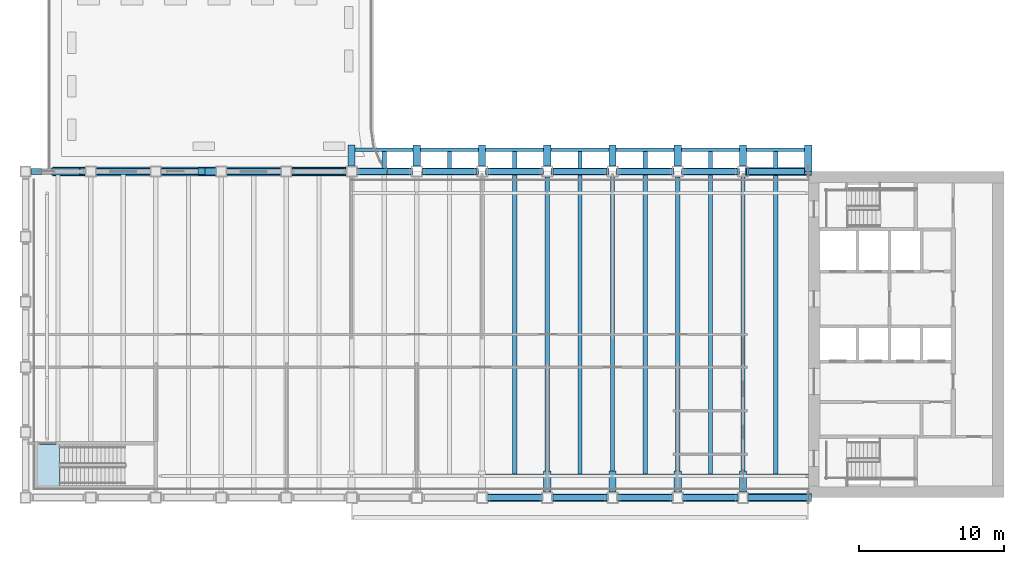
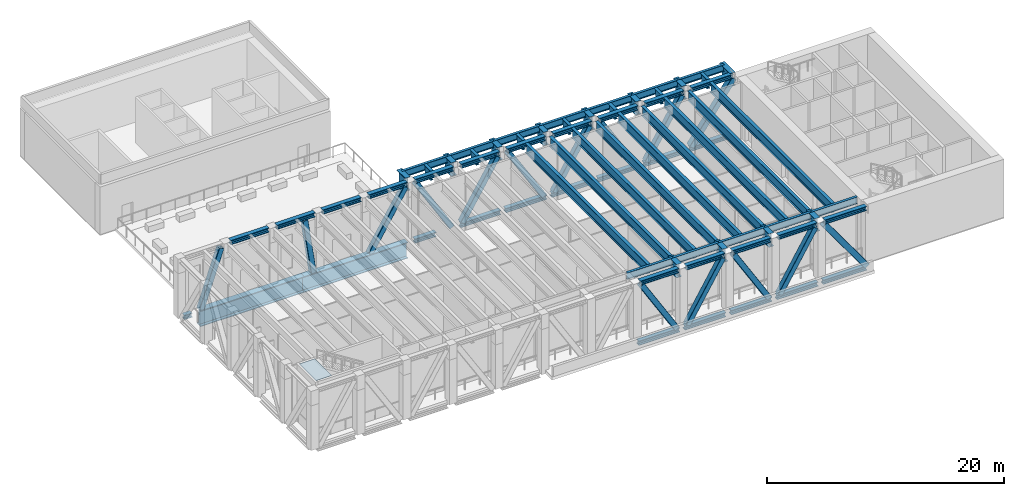
# One storey, part 2 of 20: 44 members, 42 beams, 1 slab.
"""IFC4 building model written with IfcOpenShell, lengths in metres."""

import ifcopenshell
import ifcopenshell.guid

model = None  # the IFC model being written
_history = None  # IfcOwnerHistory: only IFC2X3 demands one
_inside = {}  # id of a spatial element -> (the spatial element, [elements in it])
_under = {}  # id of a project, library or spatial element -> (it, [spatial elements below it])
_declared = {}  # id of a project -> (the project, [libraries it declares])
_typed = {}  # id of a type object -> (the type object, [elements of that type])
_made_of = {}  # id of a material, layer set ... -> (it, [elements and type objects made of it])


def new_model(schema):
    """Start an empty IFC model of exactly this schema.

    Asked for "IFC4X3", IfcOpenShell would pick the latest addendum, in which some entities
    have other attributes; the version numbers below select the first issue.
    IFC2X3 requires an IfcOwnerHistory on every rooted entity: one is made here for all.
    """
    global model, _history
    if schema == "IFC4X3":
        model = ifcopenshell.file(schema_version=(4, 3, 0, 0))
    else:
        model = ifcopenshell.file(schema=schema)
    _inside.clear()
    _under.clear()
    _declared.clear()
    _typed.clear()
    _made_of.clear()
    _history = None
    if model.schema == "IFC2X3":
        org = make("IfcOrganization", Name="unknown")
        user = make(
            "IfcPersonAndOrganization",
            ThePerson=make("IfcPerson", FamilyName="unknown"),
            TheOrganization=org,
        )
        app = make(
            "IfcApplication",
            ApplicationDeveloper=org,
            Version="unknown",
            ApplicationFullName="unknown",
            ApplicationIdentifier="unknown",
        )
        _history = make(
            "IfcOwnerHistory",
            OwningUser=user,
            OwningApplication=app,
            ChangeAction="ADDED",
            CreationDate=0,
        )
    return model


def make(cls, **values):
    """One entity of the class cls with the attributes given. An attribute that is None is left unset."""
    return model.create_entity(
        cls, **{name: value for name, value in values.items() if value is not None}
    )


def rooted(cls, **values):
    """An entity with a GlobalId (a new one), such as an element, a storey or a relation."""
    return make(cls, GlobalId=ifcopenshell.guid.new(), OwnerHistory=_history, **values)


def si_unit(unit_type, name, prefix=None):
    """IfcSIUnit, for example si_unit("LENGTHUNIT", "METRE", prefix="MILLI")."""
    return make("IfcSIUnit", UnitType=unit_type, Prefix=prefix, Name=name)


def assignment(units):
    """IfcUnitAssignment: the units of a project."""
    return None if units is None else make("IfcUnitAssignment", Units=units)


def point(xyz):
    """IfcCartesianPoint."""
    return None if xyz is None else make("IfcCartesianPoint", Coordinates=xyz)


def direction(xyz):
    """IfcDirection."""
    return None if xyz is None else make("IfcDirection", DirectionRatios=xyz)


def frame(location, z_axis=None, x_axis=None):
    """IfcAxis2Placement3D, a coordinate frame: its origin and axes. An axis left out is left unset."""
    return make(
        "IfcAxis2Placement3D",
        Location=point(location),
        Axis=direction(z_axis),
        RefDirection=direction(x_axis),
    )


def frame_2d(location, x_axis=None):
    """IfcAxis2Placement2D, a coordinate frame in the plane: its origin and x axis."""
    return make(
        "IfcAxis2Placement2D", Location=point(location), RefDirection=direction(x_axis)
    )


def origin():
    """The frame at (0, 0, 0) with its axes left unset."""
    return frame((0.0, 0.0, 0.0))


def origin_2d():
    """The frame at (0, 0) in the plane with its x axis left unset."""
    return frame_2d((0.0, 0.0))


def place(relative_to, where):
    """IfcLocalPlacement: puts the frame where relative to a parent placement (None: the world)."""
    return make(
        "IfcLocalPlacement", PlacementRelTo=relative_to, RelativePlacement=where
    )


def context(
    kind, dimensions, precision=None, world=None, true_north=None, identifier=None
):
    """IfcGeometricRepresentationContext, for example the 3D "Model" context."""
    return make(
        "IfcGeometricRepresentationContext",
        ContextIdentifier=identifier,
        ContextType=kind,
        CoordinateSpaceDimension=dimensions,
        Precision=precision,
        WorldCoordinateSystem=world,
        TrueNorth=true_north,
    )


def subcontext(parent, identifier, kind, view, scale=None):
    """IfcGeometricRepresentationSubContext, for example "Body" below "Model"."""
    return make(
        "IfcGeometricRepresentationSubContext",
        ContextIdentifier=identifier,
        ContextType=kind,
        ParentContext=parent,
        TargetScale=scale,
        TargetView=view,
    )


def project(units=None, contexts=None):
    """IfcProject with its units and contexts."""
    return rooted(
        "IfcProject",
        Name="project",
        RepresentationContexts=contexts,
        UnitsInContext=assignment(units),
    )


def spatial(cls, under=None, at=None, **own):
    """A site, building, storey or space (cls), placed at a placement, below another one or the project."""
    s = rooted(cls, ObjectPlacement=at, **own)
    if under is not None:
        _under.setdefault(under.id(), (under, []))[1].append(s)
    return s


def polyline(points):
    """IfcPolyline through the points."""
    return make("IfcPolyline", Points=[point(p) for p in points])


def profile(cls, at=None, kind="AREA", **sizes):
    """A parametric profile (cls). Its sizes go by their IFC names, for example OverallWidth=200.0."""
    return make(cls, ProfileType=kind, Position=at, **sizes)


def hollow_rectangle(**sizes):
    """IfcRectangleHollowProfileDef."""
    return profile("IfcRectangleHollowProfileDef", **sizes)


def i_section(**sizes):
    """IfcIShapeProfileDef."""
    return profile("IfcIShapeProfileDef", **sizes)


def outline(outer, holes=None, kind="AREA"):
    """IfcArbitraryClosedProfileDef: a profile drawn as a closed curve; with holes, ...WithVoids."""
    if holes is None:
        return make("IfcArbitraryClosedProfileDef", ProfileType=kind, OuterCurve=outer)
    return make(
        "IfcArbitraryProfileDefWithVoids",
        ProfileType=kind,
        OuterCurve=outer,
        InnerCurves=holes,
    )


def extrude(swept, where, along, depth):
    """IfcExtrudedAreaSolid: the profile swept, set in the frame where, extruded along a direction by depth."""
    return make(
        "IfcExtrudedAreaSolid",
        SweptArea=swept,
        Position=where,
        ExtrudedDirection=direction(along),
        Depth=depth,
    )


def shape(context_of_items, identifier, shape_type, items):
    """IfcShapeRepresentation: the items that make up one representation, for example the "Body"."""
    return make(
        "IfcShapeRepresentation",
        ContextOfItems=context_of_items,
        RepresentationIdentifier=identifier,
        RepresentationType=shape_type,
        Items=items,
    )


def material(Name=None, Category=None):
    """IfcMaterial."""
    return make("IfcMaterial", Name=Name, Category=Category)


def layer(
    of_material, thickness, ventilated=None, Name=None, Category=None, Priority=None
):
    """IfcMaterialLayer: one layer of a wall or slab, of a material (None: an air gap)."""
    return make(
        "IfcMaterialLayer",
        Material=of_material,
        LayerThickness=thickness,
        IsVentilated=ventilated,
        Name=Name,
        Category=Category,
        Priority=Priority,
    )


def layer_set(layers, Name=None):
    """IfcMaterialLayerSet."""
    return make("IfcMaterialLayerSet", MaterialLayers=layers, LayerSetName=Name)


def material_profile(
    of_material, cross_section, Name=None, Category=None, Priority=None
):
    """IfcMaterialProfile: a cross section and its material."""
    return make(
        "IfcMaterialProfile",
        Name=Name,
        Material=of_material,
        Profile=cross_section,
        Priority=Priority,
        Category=Category,
    )


def profile_set(profiles, Name=None, composite=None):
    """IfcMaterialProfileSet."""
    return make(
        "IfcMaterialProfileSet",
        Name=Name,
        MaterialProfiles=profiles,
        CompositeProfile=composite,
    )


def made_of(thing, what):
    """Note that an element or type object is made of a material, layer set ...; save() writes the relation."""
    if what is not None:
        _made_of.setdefault(what.id(), (what, []))[1].append(thing)
    return thing


def type_object(cls, material=None, **own):
    """A type object (cls), such as IfcWallType, which elements share."""
    return made_of(rooted(cls, **own), material)


def element(
    cls,
    number,
    at=None,
    inside=None,
    cuts=None,
    type_object=None,
    material=None,
    context=None,
    identifier="Body",
    shape_type=None,
    held_by="IfcProductDefinitionShape",
    body=None,
    shapes=None,
    **own,
):
    """One element of the class cls, such as IfcWall. Its Tag is "e" and its number.

    at: its placement. inside: the storey or other place that contains it. cuts: it is an
    opening in that element (IfcRelVoidsElement). A single representation is given by context,
    identifier, shape_type and body (its items); several are given by shapes. held_by: the class
    of the entity that holds the representations. save() writes the other relations.
    """
    e = rooted(cls, Tag="e%d" % number, ObjectPlacement=at, **own)
    if body is not None:
        shapes = [shape(context, identifier, shape_type, body)]
    if shapes is not None:
        e.Representation = make(held_by, Representations=shapes)
    if inside is not None:
        _inside.setdefault(inside.id(), (inside, []))[1].append(e)
    if cuts is not None:
        rooted(
            "IfcRelVoidsElement", RelatingBuildingElement=cuts, RelatedOpeningElement=e
        )
    if type_object is not None:
        _typed.setdefault(type_object.id(), (type_object, []))[1].append(e)
    return made_of(e, material)


def aggregate(whole, parts):
    """IfcRelAggregates: a whole, such as a stair, and the parts it consists of."""
    return rooted("IfcRelAggregates", RelatingObject=whole, RelatedObjects=parts)


def save(model, path):
    """Write the relations noted so far, then the file.

    IfcRelAggregates (storeys below a building ...), IfcRelContainedInSpatialStructure (elements
    in a storey), IfcRelDefinesByType, IfcRelAssociatesMaterial and IfcRelDeclares: one each for
    every whole, place, type object, material and project.
    """
    for whole, parts in _under.values():
        aggregate(whole, parts)
    for where, things in _inside.values():
        rooted(
            "IfcRelContainedInSpatialStructure",
            RelatedElements=things,
            RelatingStructure=where,
        )
    for kind, things in _typed.values():
        rooted("IfcRelDefinesByType", RelatedObjects=things, RelatingType=kind)
    for what, things in _made_of.values():
        rooted("IfcRelAssociatesMaterial", RelatedObjects=things, RelatingMaterial=what)
    for by, libraries in _declared.values():
        rooted("IfcRelDeclares", RelatingContext=by, RelatedDefinitions=libraries)
    model.write(path)


model = new_model("IFC4")

# Units and contexts
model_context = context("Model", 3, precision=1e-05, world=origin(), true_north=direction((0.0, 1.0)))
body_context = subcontext(model_context, "Body", "Model", "MODEL_VIEW")
ifc_project = project(units=[si_unit("LENGTHUNIT", "METRE"), si_unit("AREAUNIT", "SQUARE_METRE"), si_unit("VOLUMEUNIT", "CUBIC_METRE"), si_unit("PLANEANGLEUNIT", "RADIAN"), si_unit("MASSUNIT", "GRAM", prefix="KILO")], contexts=[model_context])

# Site, building, storey
site_placement = place(None, origin())
site = spatial("IfcSite", under=ifc_project, at=site_placement, CompositionType="ELEMENT")
building_placement = place(site_placement, origin())
building = spatial("IfcBuilding", under=site, at=building_placement, Name="Sennacour Bend Tower", CompositionType="ELEMENT")
storey_placement = place(building_placement, frame((0.0, 0.0, 243.0)))
storey = spatial("IfcBuildingStorey", under=building, at=storey_placement, Name="L56", CompositionType="ELEMENT", Elevation=243.0)

# Members
ifc_material_1 = material(Name="Steel ASTM A992 Grade 50", Category="steel")
ifc_material_profile_1 = material_profile(ifc_material_1, i_section(OverallWidth=0.4189453125, OverallDepth=0.455078125, WebThickness=0.042236328125, FlangeThickness=0.067626953125, FilletRadius=0.01513671875, at=origin_2d()), Name="Steel ASTM A992 Grade 50", Category="steel")
ifc_profile_set_1 = profile_set([ifc_material_profile_1], Name="Steel ASTM A992 Grade 50")
member_type_1 = type_object("IfcMemberType", Name="Belt truss chord W360X551", PredefinedType="CHORD", material=ifc_profile_set_1)
member_1_placement = place(storey_placement, frame((0.375, 22.5, -0.527587890625), z_axis=(1.0, 0.0, 0.0), x_axis=(0.0, 1.0, 0.0)))
element("IfcMember", 1, at=member_1_placement, inside=storey, type_object=member_type_1, Name="Belt truss chord BC L56-006", PredefinedType="CHORD", context=body_context, shape_type="SweptSolid", body=[
    extrude(i_section(OverallWidth=0.4189453125, OverallDepth=0.455078125, WebThickness=0.042236328125, FlangeThickness=0.067626953125, FilletRadius=0.01513671875, at=origin_2d()), origin(), (0.0, 0.0, 1.0), 0.75),
])
member_2_placement = place(storey_placement, frame((22.875, 22.5, -0.527587890625), z_axis=(1.0, 0.0, 0.0), x_axis=(0.0, 1.0, 0.0)))
element("IfcMember", 2, at=member_2_placement, inside=storey, type_object=member_type_1, Name="Belt truss chord BC L56-007", PredefinedType="CHORD", context=body_context, shape_type="SweptSolid", body=[
    extrude(i_section(OverallWidth=0.4189453125, OverallDepth=0.455078125, WebThickness=0.042236328125, FlangeThickness=0.067626953125, FilletRadius=0.01513671875, at=origin_2d()), origin(), (0.0, 0.0, 1.0), 2.068115234375),
])
member_3_placement = place(storey_placement, frame((27.37939453125, 22.5, -0.4775390625), z_axis=(1.0, 0.0, 0.0), x_axis=(0.0, 1.0, 0.0)))
element("IfcMember", 3, at=member_3_placement, inside=storey, type_object=member_type_1, Name="Belt truss chord BC L56-008", PredefinedType="CHORD", context=body_context, shape_type="SweptSolid", body=[
    extrude(i_section(OverallWidth=0.4189453125, OverallDepth=0.455078125, WebThickness=0.042236328125, FlangeThickness=0.067626953125, FilletRadius=0.01513671875, at=origin_2d()), origin(), (0.0, 0.0, 1.0), 3.87060546875),
])
for number, where, z_axis, x_axis, name in (
    (4, (31.75, 22.5, -0.4775390625), (1.0, 0.0, 0.0), (0.0, 1.0, 0.0), "Belt truss chord BC L56-009"),
    (5, (36.25, 22.5, -0.4775390625), (1.0, 0.0, 0.0), (0.0, 1.0, 0.0), "Belt truss chord BC L56-010"),
    (6, (40.75, 22.5, -0.4775390625), (1.0, 0.0, 0.0), (0.0, 1.0, 0.0), "Belt truss chord BC L56-011"),
    (7, (45.25, 22.5, -0.4775390625), (1.0, 0.0, 0.0), (0.0, 1.0, 0.0), "Belt truss chord BC L56-012"),
):
    element("IfcMember", number, at=place(storey_placement, frame(where, z_axis=z_axis, x_axis=x_axis)), inside=storey, type_object=member_type_1, Name=name, PredefinedType="CHORD", context=body_context, shape_type="SweptSolid", body=[
        extrude(i_section(OverallWidth=0.4189453125, OverallDepth=0.455078125, WebThickness=0.042236328125, FlangeThickness=0.067626953125, FilletRadius=0.01513671875, at=origin_2d()), origin(), (0.0, 0.0, 1.0), 4.0),
    ])
for number, where, z_axis, x_axis, name in (
    (8, (49.75, 22.5, -0.4775390625), (1.0, 0.0, 0.0), (0.0, 1.0, 0.0), "Belt truss chord BC L56-013"),
    (9, (54.0, 0.0, -0.527587890625), (-1.0, 0.0, 0.0), (0.0, -1.0, 0.0), "Belt truss chord BC L56-014"),
):
    element("IfcMember", number, at=place(storey_placement, frame(where, z_axis=z_axis, x_axis=x_axis)), inside=storey, type_object=member_type_1, Name=name, PredefinedType="CHORD", context=body_context, shape_type="SweptSolid", body=[
        extrude(i_section(OverallWidth=0.4189453125, OverallDepth=0.455078125, WebThickness=0.042236328125, FlangeThickness=0.067626953125, FilletRadius=0.01513671875, at=origin_2d()), origin(), (0.0, 0.0, 1.0), 4.25),
    ])
for number, where, z_axis, x_axis, name in (
    (10, (49.25, 0.0, -0.527587890625), (-1.0, 0.0, 0.0), (0.0, -1.0, 0.0), "Belt truss chord BC L56-015"),
    (11, (44.75, 0.0, -0.527587890625), (-1.0, 0.0, 0.0), (0.0, -1.0, 0.0), "Belt truss chord BC L56-016"),
    (12, (40.25, 0.0, -0.527587890625), (-1.0, 0.0, 0.0), (0.0, -1.0, 0.0), "Belt truss chord BC L56-017"),
    (13, (35.75, 0.0, -0.527587890625), (-1.0, 0.0, 0.0), (0.0, -1.0, 0.0), "Belt truss chord BC L56-018"),
):
    element("IfcMember", number, at=place(storey_placement, frame(where, z_axis=z_axis, x_axis=x_axis)), inside=storey, type_object=member_type_1, Name=name, PredefinedType="CHORD", context=body_context, shape_type="SweptSolid", body=[
        extrude(i_section(OverallWidth=0.4189453125, OverallDepth=0.455078125, WebThickness=0.042236328125, FlangeThickness=0.067626953125, FilletRadius=0.01513671875, at=origin_2d()), origin(), (0.0, 0.0, 1.0), 4.0),
    ])
for number, where, z_axis, x_axis, name in (
    (14, (4.875, 22.5, 5.62255859375), (1.0, 0.0, 0.0), (0.0, 1.0, 0.0), "Belt truss chord BC L56-007"),
    (15, (9.375, 22.5, 5.62255859375), (1.0, 0.0, 0.0), (0.0, 1.0, 0.0), "Belt truss chord BC L56-008"),
    (16, (13.875, 22.5, 5.62255859375), (1.0, 0.0, 0.0), (0.0, 1.0, 0.0), "Belt truss chord BC L56-009"),
    (17, (18.375, 22.5, 5.62255859375), (1.0, 0.0, 0.0), (0.0, 1.0, 0.0), "Belt truss chord BC L56-010"),
    (18, (22.875, 22.5, 5.62255859375), (1.0, 0.0, 0.0), (0.0, 1.0, 0.0), "Belt truss chord BC L56-011"),
    (19, (27.375, 22.5, 5.62255859375), (1.0, 0.0, 0.0), (0.0, 1.0, 0.0), "Belt truss chord BC L56-012"),
    (20, (31.875, 22.5, 5.62255859375), (1.0, 0.0, 0.0), (0.0, 1.0, 0.0), "Belt truss chord BC L56-013"),
    (21, (36.375, 22.5, 5.62255859375), (1.0, 0.0, 0.0), (0.0, 1.0, 0.0), "Belt truss chord BC L56-014"),
    (22, (40.875, 22.5, 5.62255859375), (1.0, 0.0, 0.0), (0.0, 1.0, 0.0), "Belt truss chord BC L56-015"),
    (23, (45.375, 22.5, 5.62255859375), (1.0, 0.0, 0.0), (0.0, 1.0, 0.0), "Belt truss chord BC L56-016"),
):
    element("IfcMember", number, at=place(storey_placement, frame(where, z_axis=z_axis, x_axis=x_axis)), inside=storey, type_object=member_type_1, Name=name, PredefinedType="CHORD", context=body_context, shape_type="SweptSolid", body=[
        extrude(i_section(OverallWidth=0.4189453125, OverallDepth=0.455078125, WebThickness=0.042236328125, FlangeThickness=0.067626953125, FilletRadius=0.01513671875, at=origin_2d()), origin(), (0.0, 0.0, 1.0), 3.75),
    ])
member_4_placement = place(storey_placement, frame((49.875, 22.5, 5.62255859375), z_axis=(1.0, 0.0, 0.0), x_axis=(0.0, 1.0, 0.0)))
element("IfcMember", 24, at=member_4_placement, inside=storey, type_object=member_type_1, Name="Belt truss chord BC L56-017", PredefinedType="CHORD", context=body_context, shape_type="SweptSolid", body=[
    extrude(i_section(OverallWidth=0.4189453125, OverallDepth=0.455078125, WebThickness=0.042236328125, FlangeThickness=0.067626953125, FilletRadius=0.01513671875, at=origin_2d()), origin(), (0.0, 0.0, 1.0), 3.875),
])
member_5_placement = place(storey_placement, frame((54.0, 0.0, 5.62255859375), z_axis=(-1.0, 0.0, 0.0), x_axis=(0.0, -1.0, 0.0)))
element("IfcMember", 25, at=member_5_placement, inside=storey, type_object=member_type_1, Name="Belt truss chord BC L56-018", PredefinedType="CHORD", context=body_context, shape_type="SweptSolid", body=[
    extrude(i_section(OverallWidth=0.4189453125, OverallDepth=0.455078125, WebThickness=0.042236328125, FlangeThickness=0.067626953125, FilletRadius=0.01513671875, at=origin_2d()), origin(), (0.0, 0.0, 1.0), 4.125),
])
for number, where, z_axis, x_axis, name in (
    (26, (49.125, 0.0, 5.62255859375), (-1.0, 0.0, 0.0), (0.0, -1.0, 0.0), "Belt truss chord BC L56-019"),
    (27, (44.625, 0.0, 5.62255859375), (-1.0, 0.0, 0.0), (0.0, -1.0, 0.0), "Belt truss chord BC L56-020"),
    (28, (40.125, 0.0, 5.62255859375), (-1.0, 0.0, 0.0), (0.0, -1.0, 0.0), "Belt truss chord BC L56-021"),
    (29, (35.625, 0.0, 5.62255859375), (-1.0, 0.0, 0.0), (0.0, -1.0, 0.0), "Belt truss chord BC L56-022"),
):
    element("IfcMember", number, at=place(storey_placement, frame(where, z_axis=z_axis, x_axis=x_axis)), inside=storey, type_object=member_type_1, Name=name, PredefinedType="CHORD", context=body_context, shape_type="SweptSolid", body=[
        extrude(i_section(OverallWidth=0.4189453125, OverallDepth=0.455078125, WebThickness=0.042236328125, FlangeThickness=0.067626953125, FilletRadius=0.01513671875, at=origin_2d()), origin(), (0.0, 0.0, 1.0), 3.75),
    ])
ifc_material_2 = material(Name="Steel ASTM A500 Grade C", Category="steel")
ifc_material_profile_2 = material_profile(ifc_material_2, hollow_rectangle(XDim=0.508056640625, YDim=0.508056640625, WallThickness=0.01904296875, InnerFilletRadius=0.01904296875, OuterFilletRadius=0.0380859375, at=origin_2d()), Name="Steel ASTM A500 Grade C", Category="steel")
ifc_profile_set_2 = profile_set([ifc_material_profile_2], Name="Steel ASTM A500 Grade C")
member_type_2 = type_object("IfcMemberType", Name="Belt truss diagonal 508", PredefinedType="BRACE", material=ifc_profile_set_2)
member_6_placement = place(storey_placement, frame((2.02490234375, 22.5, -0.300048828125), z_axis=(0.323967614843, 0.0, 0.946068171187), x_axis=(0.0, 1.0, 0.0)))
element("IfcMember", 30, at=member_6_placement, inside=storey, type_object=member_type_2, Name="Belt truss diagonal BD L56-006", PredefinedType="BRACE", context=body_context, shape_type="SweptSolid", body=[
    extrude(hollow_rectangle(XDim=0.508056640625, YDim=0.508056640625, WallThickness=0.01904296875, InnerFilletRadius=0.01904296875, OuterFilletRadius=0.0380859375, at=origin_2d()), origin(), (0.0, 0.0, 1.0), 6.019775390625),
])
member_7_placement = place(storey_placement, frame((12.14990234375, 22.5, 5.39501953125), z_axis=(0.143398961419, 0.0, -0.989664962431), x_axis=(0.0, 1.0, 0.0)))
element("IfcMember", 31, at=member_7_placement, inside=storey, type_object=member_type_2, Name="Belt truss diagonal BD L56-007", PredefinedType="BRACE", context=body_context, shape_type="SweptSolid", body=[
    extrude(hollow_rectangle(XDim=0.508056640625, YDim=0.508056640625, WallThickness=0.01904296875, InnerFilletRadius=0.01904296875, OuterFilletRadius=0.0380859375, at=origin_2d()), origin(), (0.0, 0.0, 1.0), 5.754638671875),
])
for number, where, z_axis, x_axis, name in (
    (32, (18.52490234375, 22.5, -0.300048828125), (0.518152191103, 0.0, 0.855288434889), (0.0, 1.0, 0.0), "Belt truss diagonal BD L56-008"),
    (33, (23.02490234375, 22.5, 5.39501953125), (0.518152191103, 0.0, -0.855288434889), (0.0, 1.0, 0.0), "Belt truss diagonal BD L56-009"),
):
    element("IfcMember", number, at=place(storey_placement, frame(where, z_axis=z_axis, x_axis=x_axis)), inside=storey, type_object=member_type_2, Name=name, PredefinedType="BRACE", context=body_context, shape_type="SweptSolid", body=[
        extrude(hollow_rectangle(XDim=0.508056640625, YDim=0.508056640625, WallThickness=0.01904296875, InnerFilletRadius=0.01904296875, OuterFilletRadius=0.0380859375, at=origin_2d()), origin(), (0.0, 0.0, 1.0), 6.65869140625),
    ])
for number, where, z_axis, x_axis, name in (
    (34, (27.52490234375, 22.5, -0.25), (0.521500759312, 0.0, 0.853250817777), (0.0, 1.0, 0.0), "Belt truss diagonal BD L56-010"),
    (35, (32.02490234375, 22.5, 5.39501953125), (0.521500759312, 0.0, -0.853250817777), (0.0, 1.0, 0.0), "Belt truss diagonal BD L56-011"),
    (36, (36.52490234375, 22.5, -0.25), (0.521500759312, 0.0, 0.853250817777), (0.0, 1.0, 0.0), "Belt truss diagonal BD L56-012"),
    (37, (41.02490234375, 22.5, 5.39501953125), (0.521500759312, 0.0, -0.853250817777), (0.0, 1.0, 0.0), "Belt truss diagonal BD L56-013"),
    (38, (45.52490234375, 22.5, -0.25), (0.521500759312, 0.0, 0.853250817777), (0.0, 1.0, 0.0), "Belt truss diagonal BD L56-014"),
):
    element("IfcMember", number, at=place(storey_placement, frame(where, z_axis=z_axis, x_axis=x_axis)), inside=storey, type_object=member_type_2, Name=name, PredefinedType="BRACE", context=body_context, shape_type="SweptSolid", body=[
        extrude(hollow_rectangle(XDim=0.508056640625, YDim=0.508056640625, WallThickness=0.01904296875, InnerFilletRadius=0.01904296875, OuterFilletRadius=0.0380859375, at=origin_2d()), origin(), (0.0, 0.0, 1.0), 6.615966796875),
    ])
for number, where, z_axis, x_axis, name in (
    (39, (48.97509765625, 0.0, 5.39501953125), (-0.518152191103, 0.0, -0.855288434889), (0.0, -1.0, 0.0), "Belt truss diagonal BD L56-015"),
    (40, (44.47509765625, 0.0, -0.300048828125), (-0.518152191103, 0.0, 0.855288434889), (0.0, -1.0, 0.0), "Belt truss diagonal BD L56-016"),
    (41, (39.97509765625, 0.0, 5.39501953125), (-0.518152191103, 0.0, -0.855288434889), (0.0, -1.0, 0.0), "Belt truss diagonal BD L56-017"),
    (42, (35.47509765625, 0.0, -0.300048828125), (-0.518152191103, 0.0, 0.855288434889), (0.0, -1.0, 0.0), "Belt truss diagonal BD L56-018"),
):
    element("IfcMember", number, at=place(storey_placement, frame(where, z_axis=z_axis, x_axis=x_axis)), inside=storey, type_object=member_type_2, Name=name, PredefinedType="BRACE", context=body_context, shape_type="SweptSolid", body=[
        extrude(hollow_rectangle(XDim=0.508056640625, YDim=0.508056640625, WallThickness=0.01904296875, InnerFilletRadius=0.01904296875, OuterFilletRadius=0.0380859375, at=origin_2d()), origin(), (0.0, 0.0, 1.0), 6.65869140625),
    ])

# Beams
ifc_material_profile_3 = material_profile(ifc_material_1, i_section(OverallWidth=0.300048828125, OverallDepth=0.97998046875, WebThickness=0.0166015625, FlangeThickness=0.026123046875, FilletRadius=0.02978515625, at=origin_2d()), Name="Steel ASTM A992 Grade 50", Category="steel")
ifc_profile_set_3 = profile_set([ifc_material_profile_3], Name="Steel ASTM A992 Grade 50")
beam_type_1 = type_object("IfcBeamType", Name="Floor beam W1000X249", PredefinedType="BEAM", material=ifc_profile_set_3)
for number, where, z_axis, x_axis, name in (
    (43, (24.75, 22.70947265625, 5.360107421875), (0.0, 1.0, 0.0), (-1.0, 0.0, 0.0), "Floor beam FBM2 L57-012"),
    (44, (29.25, 22.70947265625, 5.360107421875), (0.0, 1.0, 0.0), (-1.0, 0.0, 0.0), "Floor beam FBM2 L57-015"),
):
    element("IfcBeam", number, at=place(storey_placement, frame(where, z_axis=z_axis, x_axis=x_axis)), inside=storey, type_object=beam_type_1, Name=name, PredefinedType="BEAM", context=body_context, shape_type="SweptSolid", body=[
        extrude(i_section(OverallWidth=0.300048828125, OverallDepth=0.97998046875, WebThickness=0.0166015625, FlangeThickness=0.026123046875, FilletRadius=0.02978515625, at=origin_2d()), origin(), (0.0, 0.0, 1.0), 1.16357421875),
    ])
beam_1_placement = place(storey_placement, frame((33.75, 1.626953125, 5.360107421875), z_axis=(0.0, 1.0, 0.0), x_axis=(-1.0, 0.0, 0.0)))
element("IfcBeam", 45, at=beam_1_placement, inside=storey, type_object=beam_type_1, Name="Floor beam FBM2 L57-017", PredefinedType="BEAM", context=body_context, shape_type="SweptSolid", body=[
    extrude(i_section(OverallWidth=0.300048828125, OverallDepth=0.97998046875, WebThickness=0.0166015625, FlangeThickness=0.026123046875, FilletRadius=0.02978515625, at=origin_2d()), origin(), (0.0, 0.0, 1.0), 20.66357421875),
])
beam_2_placement = place(storey_placement, frame((33.75, 22.70947265625, 5.360107421875), z_axis=(0.0, 1.0, 0.0), x_axis=(-1.0, 0.0, 0.0)))
element("IfcBeam", 46, at=beam_2_placement, inside=storey, type_object=beam_type_1, Name="Floor beam FBM2 L57-018", PredefinedType="BEAM", context=body_context, shape_type="SweptSolid", body=[
    extrude(i_section(OverallWidth=0.300048828125, OverallDepth=0.97998046875, WebThickness=0.0166015625, FlangeThickness=0.026123046875, FilletRadius=0.02978515625, at=origin_2d()), origin(), (0.0, 0.0, 1.0), 1.16357421875),
])
beam_3_placement = place(storey_placement, frame((36.0, 1.824951171875, 5.360107421875), z_axis=(0.0, 1.0, 0.0), x_axis=(-1.0, 0.0, 0.0)))
element("IfcBeam", 47, at=beam_3_placement, inside=storey, type_object=beam_type_1, Name="Floor beam FBM2 L57-019", PredefinedType="BEAM", context=body_context, shape_type="SweptSolid", body=[
    extrude(i_section(OverallWidth=0.300048828125, OverallDepth=0.97998046875, WebThickness=0.0166015625, FlangeThickness=0.026123046875, FilletRadius=0.02978515625, at=origin_2d()), origin(), (0.0, 0.0, 1.0), 20.300048828125),
])
beam_4_placement = place(storey_placement, frame((38.25, 1.626953125, 5.360107421875), z_axis=(0.0, 1.0, 0.0), x_axis=(-1.0, 0.0, 0.0)))
element("IfcBeam", 48, at=beam_4_placement, inside=storey, type_object=beam_type_1, Name="Floor beam FBM2 L57-020", PredefinedType="BEAM", context=body_context, shape_type="SweptSolid", body=[
    extrude(i_section(OverallWidth=0.300048828125, OverallDepth=0.97998046875, WebThickness=0.0166015625, FlangeThickness=0.026123046875, FilletRadius=0.02978515625, at=origin_2d()), origin(), (0.0, 0.0, 1.0), 20.66357421875),
])
beam_5_placement = place(storey_placement, frame((38.25, 22.70947265625, 5.360107421875), z_axis=(0.0, 1.0, 0.0), x_axis=(-1.0, 0.0, 0.0)))
element("IfcBeam", 49, at=beam_5_placement, inside=storey, type_object=beam_type_1, Name="Floor beam FBM2 L57-021", PredefinedType="BEAM", context=body_context, shape_type="SweptSolid", body=[
    extrude(i_section(OverallWidth=0.300048828125, OverallDepth=0.97998046875, WebThickness=0.0166015625, FlangeThickness=0.026123046875, FilletRadius=0.02978515625, at=origin_2d()), origin(), (0.0, 0.0, 1.0), 1.16357421875),
])
beam_6_placement = place(storey_placement, frame((40.5, 1.824951171875, 5.360107421875), z_axis=(0.0, 1.0, 0.0), x_axis=(-1.0, 0.0, 0.0)))
element("IfcBeam", 50, at=beam_6_placement, inside=storey, type_object=beam_type_1, Name="Floor beam FBM2 L57-022", PredefinedType="BEAM", context=body_context, shape_type="SweptSolid", body=[
    extrude(i_section(OverallWidth=0.300048828125, OverallDepth=0.97998046875, WebThickness=0.0166015625, FlangeThickness=0.026123046875, FilletRadius=0.02978515625, at=origin_2d()), origin(), (0.0, 0.0, 1.0), 20.300048828125),
])
beam_7_placement = place(storey_placement, frame((42.75, 1.626953125, 5.360107421875), z_axis=(0.0, 1.0, 0.0), x_axis=(-1.0, 0.0, 0.0)))
element("IfcBeam", 51, at=beam_7_placement, inside=storey, type_object=beam_type_1, Name="Floor beam FBM2 L57-023", PredefinedType="BEAM", context=body_context, shape_type="SweptSolid", body=[
    extrude(i_section(OverallWidth=0.300048828125, OverallDepth=0.97998046875, WebThickness=0.0166015625, FlangeThickness=0.026123046875, FilletRadius=0.02978515625, at=origin_2d()), origin(), (0.0, 0.0, 1.0), 20.66357421875),
])
beam_8_placement = place(storey_placement, frame((42.75, 22.70947265625, 5.360107421875), z_axis=(0.0, 1.0, 0.0), x_axis=(-1.0, 0.0, 0.0)))
element("IfcBeam", 52, at=beam_8_placement, inside=storey, type_object=beam_type_1, Name="Floor beam FBM2 L57-024", PredefinedType="BEAM", context=body_context, shape_type="SweptSolid", body=[
    extrude(i_section(OverallWidth=0.300048828125, OverallDepth=0.97998046875, WebThickness=0.0166015625, FlangeThickness=0.026123046875, FilletRadius=0.02978515625, at=origin_2d()), origin(), (0.0, 0.0, 1.0), 1.16357421875),
])
beam_9_placement = place(storey_placement, frame((45.0, 1.824951171875, 5.360107421875), z_axis=(0.0, 1.0, 0.0), x_axis=(-1.0, 0.0, 0.0)))
element("IfcBeam", 53, at=beam_9_placement, inside=storey, type_object=beam_type_1, Name="Floor beam FBM2 L57-025", PredefinedType="BEAM", context=body_context, shape_type="SweptSolid", body=[
    extrude(i_section(OverallWidth=0.300048828125, OverallDepth=0.97998046875, WebThickness=0.0166015625, FlangeThickness=0.026123046875, FilletRadius=0.02978515625, at=origin_2d()), origin(), (0.0, 0.0, 1.0), 20.300048828125),
])
beam_10_placement = place(storey_placement, frame((47.25, 1.626953125, 5.360107421875), z_axis=(0.0, 1.0, 0.0), x_axis=(-1.0, 0.0, 0.0)))
element("IfcBeam", 54, at=beam_10_placement, inside=storey, type_object=beam_type_1, Name="Floor beam FBM2 L57-026", PredefinedType="BEAM", context=body_context, shape_type="SweptSolid", body=[
    extrude(i_section(OverallWidth=0.300048828125, OverallDepth=0.97998046875, WebThickness=0.0166015625, FlangeThickness=0.026123046875, FilletRadius=0.02978515625, at=origin_2d()), origin(), (0.0, 0.0, 1.0), 20.66357421875),
])
beam_11_placement = place(storey_placement, frame((47.25, 22.70947265625, 5.360107421875), z_axis=(0.0, 1.0, 0.0), x_axis=(-1.0, 0.0, 0.0)))
element("IfcBeam", 55, at=beam_11_placement, inside=storey, type_object=beam_type_1, Name="Floor beam FBM2 L57-027", PredefinedType="BEAM", context=body_context, shape_type="SweptSolid", body=[
    extrude(i_section(OverallWidth=0.300048828125, OverallDepth=0.97998046875, WebThickness=0.0166015625, FlangeThickness=0.026123046875, FilletRadius=0.02978515625, at=origin_2d()), origin(), (0.0, 0.0, 1.0), 1.16357421875),
])
beam_12_placement = place(storey_placement, frame((49.5, 1.824951171875, 5.360107421875), z_axis=(0.0, 1.0, 0.0), x_axis=(-1.0, 0.0, 0.0)))
element("IfcBeam", 56, at=beam_12_placement, inside=storey, type_object=beam_type_1, Name="Floor beam FBM2 L57-028", PredefinedType="BEAM", context=body_context, shape_type="SweptSolid", body=[
    extrude(i_section(OverallWidth=0.300048828125, OverallDepth=0.97998046875, WebThickness=0.0166015625, FlangeThickness=0.026123046875, FilletRadius=0.02978515625, at=origin_2d()), origin(), (0.0, 0.0, 1.0), 20.300048828125),
])
beam_13_placement = place(storey_placement, frame((51.75, 1.626953125, 5.360107421875), z_axis=(0.0, 1.0, 0.0), x_axis=(-1.0, 0.0, 0.0)))
element("IfcBeam", 57, at=beam_13_placement, inside=storey, type_object=beam_type_1, Name="Floor beam FBM2 L57-029", PredefinedType="BEAM", context=body_context, shape_type="SweptSolid", body=[
    extrude(i_section(OverallWidth=0.300048828125, OverallDepth=0.97998046875, WebThickness=0.0166015625, FlangeThickness=0.026123046875, FilletRadius=0.02978515625, at=origin_2d()), origin(), (0.0, 0.0, 1.0), 20.66357421875),
])
beam_14_placement = place(storey_placement, frame((51.75, 22.70947265625, 5.360107421875), z_axis=(0.0, 1.0, 0.0), x_axis=(-1.0, 0.0, 0.0)))
element("IfcBeam", 58, at=beam_14_placement, inside=storey, type_object=beam_type_1, Name="Floor beam FBM2 L57-030", PredefinedType="BEAM", context=body_context, shape_type="SweptSolid", body=[
    extrude(i_section(OverallWidth=0.300048828125, OverallDepth=0.97998046875, WebThickness=0.0166015625, FlangeThickness=0.026123046875, FilletRadius=0.02978515625, at=origin_2d()), origin(), (0.0, 0.0, 1.0), 1.16357421875),
])
ifc_material_3 = material(Name="Steel ASTM A572 Grade 50", Category="steel")
ifc_material_profile_4 = material_profile(ifc_material_3, i_section(OverallWidth=0.60009765625, OverallDepth=1.64990234375, WebThickness=0.0400390625, FlangeThickness=0.070068359375, at=origin_2d()), Name="Steel ASTM A572 Grade 50", Category="steel")
ifc_profile_set_4 = profile_set([ifc_material_profile_4], Name="Steel ASTM A572 Grade 50")
beam_type_2 = type_object("IfcBeamType", Name="Knuckle transfer girder 1650", PredefinedType="USERDEFINED", material=ifc_profile_set_4)
for number, where, z_axis, x_axis, name in (
    (59, (1.875, 22.5, -1.125), (1.0, 0.0, 0.0), (0.0, 1.0, 0.0), "Knuckle transfer girder TK L56-001"),
    (60, (12.0, 22.5, -1.125), (1.0, 0.0, 0.0), (0.0, 1.0, 0.0), "Knuckle transfer girder TK L56-002"),
):
    element("IfcBeam", number, at=place(storey_placement, frame(where, z_axis=z_axis, x_axis=x_axis)), inside=storey, type_object=beam_type_2, Name=name, ObjectType="TRANSFER GIRDER", PredefinedType="USERDEFINED", context=body_context, shape_type="SweptSolid", body=[
        extrude(i_section(OverallWidth=0.60009765625, OverallDepth=1.64990234375, WebThickness=0.0400390625, FlangeThickness=0.070068359375, at=origin_2d()), origin(), (0.0, 0.0, 1.0), 10.125),
    ])

# Members
ifc_material_profile_5 = material_profile(ifc_material_2, hollow_rectangle(XDim=0.558837890625, YDim=0.558837890625, WallThickness=0.01904296875, InnerFilletRadius=0.01904296875, OuterFilletRadius=0.0380859375, at=origin_2d()), Name="Steel ASTM A500 Grade C", Category="steel")
ifc_profile_set_5 = profile_set([ifc_material_profile_5], Name="Steel ASTM A500 Grade C")
member_type_3 = type_object("IfcMemberType", Name="Outrigger truss diagonal 559", PredefinedType="BRACE", material=ifc_profile_set_5)
member_8_placement = place(storey_placement, frame((49.875, 22.5, -0.25), z_axis=(0.589997327971, 0.0, 0.807405197523), x_axis=(0.0, 1.0, 0.0)))
element("IfcMember", 61, at=member_8_placement, inside=storey, type_object=member_type_3, Name="Outrigger truss diagonal OD L56-001", PredefinedType="BRACE", context=body_context, shape_type="SweptSolid", body=[
    extrude(hollow_rectangle(XDim=0.558837890625, YDim=0.558837890625, WallThickness=0.01904296875, InnerFilletRadius=0.01904296875, OuterFilletRadius=0.0380859375, at=origin_2d()), origin(), (0.0, 0.0, 1.0), 6.991455078125),
])
member_9_placement = place(storey_placement, frame((49.875, 0.0, 5.39501953125), z_axis=(0.586601695626, 0.0, -0.809875577289), x_axis=(0.0, 1.0, 0.0)))
element("IfcMember", 62, at=member_9_placement, inside=storey, type_object=member_type_3, Name="Outrigger truss diagonal OD L56-002", PredefinedType="BRACE", context=body_context, shape_type="SweptSolid", body=[
    extrude(hollow_rectangle(XDim=0.558837890625, YDim=0.558837890625, WallThickness=0.01904296875, InnerFilletRadius=0.01904296875, OuterFilletRadius=0.0380859375, at=origin_2d()), origin(), (0.0, 0.0, 1.0), 7.031982421875),
])

# Beams
ifc_material_profile_6 = material_profile(ifc_material_1, i_section(OverallWidth=0.25390625, OverallDepth=0.68798828125, WebThickness=0.01318359375, FlangeThickness=0.02099609375, FilletRadius=0.01513671875, at=origin_2d()), Name="Steel ASTM A992 Grade 50", Category="steel")
ifc_profile_set_6 = profile_set([ifc_material_profile_6], Name="Steel ASTM A992 Grade 50")
beam_type_3 = type_object("IfcBeamType", Name="Spandrel beam W690X152", PredefinedType="SPANDREL", material=ifc_profile_set_6)
for number, where, z_axis, x_axis, name in (
    (63, (22.514892578125, 24.0, 5.506103515625), (1.0, 0.0, 0.0), (0.0, 1.0, 0.0), "Spandrel beam SP6 L57-001"),
    (64, (27.014892578125, 24.0, 5.506103515625), (1.0, 0.0, 0.0), (0.0, 1.0, 0.0), "Spandrel beam SP6 L57-002"),
    (65, (31.514892578125, 24.0, 5.506103515625), (1.0, 0.0, 0.0), (0.0, 1.0, 0.0), "Spandrel beam SP6 L57-003"),
    (66, (36.014892578125, 24.0, 5.506103515625), (1.0, 0.0, 0.0), (0.0, 1.0, 0.0), "Spandrel beam SP6 L57-004"),
    (67, (40.514892578125, 24.0, 5.506103515625), (1.0, 0.0, 0.0), (0.0, 1.0, 0.0), "Spandrel beam SP6 L57-005"),
    (68, (45.014892578125, 24.0, 5.506103515625), (1.0, 0.0, 0.0), (0.0, 1.0, 0.0), "Spandrel beam SP6 L57-006"),
    (69, (49.514892578125, 24.0, 5.506103515625), (1.0, 0.0, 0.0), (0.0, 1.0, 0.0), "Spandrel beam SP6 L57-007"),
):
    element("IfcBeam", number, at=place(storey_placement, frame(where, z_axis=z_axis, x_axis=x_axis)), inside=storey, type_object=beam_type_3, Name=name, PredefinedType="SPANDREL", context=body_context, shape_type="SweptSolid", body=[
        extrude(i_section(OverallWidth=0.25390625, OverallDepth=0.68798828125, WebThickness=0.01318359375, FlangeThickness=0.02099609375, FilletRadius=0.01513671875, at=origin_2d()), origin(), (0.0, 0.0, 1.0), 4.47021484375),
    ])
beam_15_placement = place(storey_placement, frame((54.0, 1.5, 5.506103515625), z_axis=(-1.0, 0.0, 0.0), x_axis=(0.0, -1.0, 0.0)))
element("IfcBeam", 70, at=beam_15_placement, inside=storey, type_object=beam_type_3, Name="Spandrel beam SP6 L57-008", PredefinedType="SPANDREL", context=body_context, shape_type="SweptSolid", body=[
    extrude(i_section(OverallWidth=0.25390625, OverallDepth=0.68798828125, WebThickness=0.01318359375, FlangeThickness=0.02099609375, FilletRadius=0.01513671875, at=origin_2d()), origin(), (0.0, 0.0, 1.0), 4.485107421875),
])
for number, where, z_axis, x_axis, name in (
    (71, (49.485107421875, 1.5, 5.506103515625), (-1.0, 0.0, 0.0), (0.0, -1.0, 0.0), "Spandrel beam SP6 L57-009"),
    (72, (44.985107421875, 1.5, 5.506103515625), (-1.0, 0.0, 0.0), (0.0, -1.0, 0.0), "Spandrel beam SP6 L57-010"),
    (73, (40.485107421875, 1.5, 5.506103515625), (-1.0, 0.0, 0.0), (0.0, -1.0, 0.0), "Spandrel beam SP6 L57-011"),
    (74, (35.985107421875, 1.5, 5.506103515625), (-1.0, 0.0, 0.0), (0.0, -1.0, 0.0), "Spandrel beam SP6 L57-012"),
):
    element("IfcBeam", number, at=place(storey_placement, frame(where, z_axis=z_axis, x_axis=x_axis)), inside=storey, type_object=beam_type_3, Name=name, PredefinedType="SPANDREL", context=body_context, shape_type="SweptSolid", body=[
        extrude(i_section(OverallWidth=0.25390625, OverallDepth=0.68798828125, WebThickness=0.01318359375, FlangeThickness=0.02099609375, FilletRadius=0.01513671875, at=origin_2d()), origin(), (0.0, 0.0, 1.0), 4.47021484375),
    ])
ifc_material_profile_7 = material_profile(ifc_material_3, i_section(OverallWidth=0.5, OverallDepth=1.39990234375, WebThickness=0.030029296875, FlangeThickness=0.054931640625, at=origin_2d()), Name="Steel ASTM A572 Grade 50", Category="steel")
ifc_profile_set_7 = profile_set([ifc_material_profile_7], Name="Steel ASTM A572 Grade 50")
beam_type_4 = type_object("IfcBeamType", Name="Transfer stub 1400", PredefinedType="USERDEFINED", material=ifc_profile_set_7)
for number, where, z_axis, x_axis, name in (
    (75, (22.5, 22.875, 5.14990234375), (0.0, 1.0, 0.0), (-1.0, 0.0, 0.0), "Transfer beam TS L57-002"),
    (76, (27.0, 22.875, 5.14990234375), (0.0, 1.0, 0.0), (-1.0, 0.0, 0.0), "Transfer beam TS L57-004"),
    (77, (31.5, 22.875, 5.14990234375), (0.0, 1.0, 0.0), (-1.0, 0.0, 0.0), "Transfer beam TS L57-006"),
    (78, (36.0, 0.375, 5.14990234375), (0.0, 1.0, 0.0), (-1.0, 0.0, 0.0), "Transfer beam TS L57-007"),
    (79, (36.0, 22.875, 5.14990234375), (0.0, 1.0, 0.0), (-1.0, 0.0, 0.0), "Transfer beam TS L57-008"),
    (80, (40.5, 0.375, 5.14990234375), (0.0, 1.0, 0.0), (-1.0, 0.0, 0.0), "Transfer beam TS L57-009"),
    (81, (40.5, 22.875, 5.14990234375), (0.0, 1.0, 0.0), (-1.0, 0.0, 0.0), "Transfer beam TS L57-010"),
    (82, (45.0, 0.375, 5.14990234375), (0.0, 1.0, 0.0), (-1.0, 0.0, 0.0), "Transfer beam TS L57-011"),
    (83, (45.0, 22.875, 5.14990234375), (0.0, 1.0, 0.0), (-1.0, 0.0, 0.0), "Transfer beam TS L57-012"),
    (84, (49.5, 0.375, 5.14990234375), (0.0, 1.0, 0.0), (-1.0, 0.0, 0.0), "Transfer beam TS L57-013"),
    (85, (49.5, 22.875, 5.14990234375), (0.0, 1.0, 0.0), (-1.0, 0.0, 0.0), "Transfer beam TS L57-014"),
):
    element("IfcBeam", number, at=place(storey_placement, frame(where, z_axis=z_axis, x_axis=x_axis)), inside=storey, type_object=beam_type_4, Name=name, ObjectType="TRANSFER BEAM", PredefinedType="USERDEFINED", context=body_context, shape_type="SweptSolid", body=[
        extrude(i_section(OverallWidth=0.5, OverallDepth=1.39990234375, WebThickness=0.030029296875, FlangeThickness=0.054931640625, at=origin_2d()), origin(), (0.0, 0.0, 1.0), 1.449951171875),
    ])
beam_16_placement = place(storey_placement, frame((54.0, 22.5, 5.14990234375), z_axis=(0.0, 1.0, 0.0), x_axis=(-1.0, 0.0, 0.0)))
element("IfcBeam", 86, at=beam_16_placement, inside=storey, type_object=beam_type_4, Name="Transfer beam TS L57-015", ObjectType="TRANSFER BEAM", PredefinedType="USERDEFINED", context=body_context, shape_type="SweptSolid", body=[
    extrude(i_section(OverallWidth=0.5, OverallDepth=1.39990234375, WebThickness=0.030029296875, FlangeThickness=0.054931640625, at=origin_2d()), origin(), (0.0, 0.0, 1.0), 1.824951171875),
])

# Slab
ifc_material_4 = material(Name="Concrete C40/50", Category="concrete")
ifc_layer = layer(ifc_material_4, 0.034912109375, Name="Concrete C40/50", Category="concrete")
ifc_layer_set = layer_set([ifc_layer], Name="Concrete C40/50")
slab_type = type_object("IfcSlabType", Name="Stair arrival nib 35", PredefinedType="FLOOR", material=ifc_layer_set)
slab_placement = place(storey_placement, frame((0.0, 0.0, 5.815185546875)))
element("IfcSlab", 87, at=slab_placement, inside=storey, type_object=slab_type, Name="L56 SK1 stair arrival nib", PredefinedType="FLOOR", context=body_context, shape_type="SweptSolid", body=[
    extrude(outline(polyline([(2.342041015625, 3.675048828125), (0.800048828125, 3.675048828125), (0.800048828125, 0.800048828125), (2.342041015625, 0.800048828125), (2.342041015625, 3.675048828125)])), origin(), (0.0, 0.0, 1.0), 0.034912109375),
])

save(model, "model.ifc")
